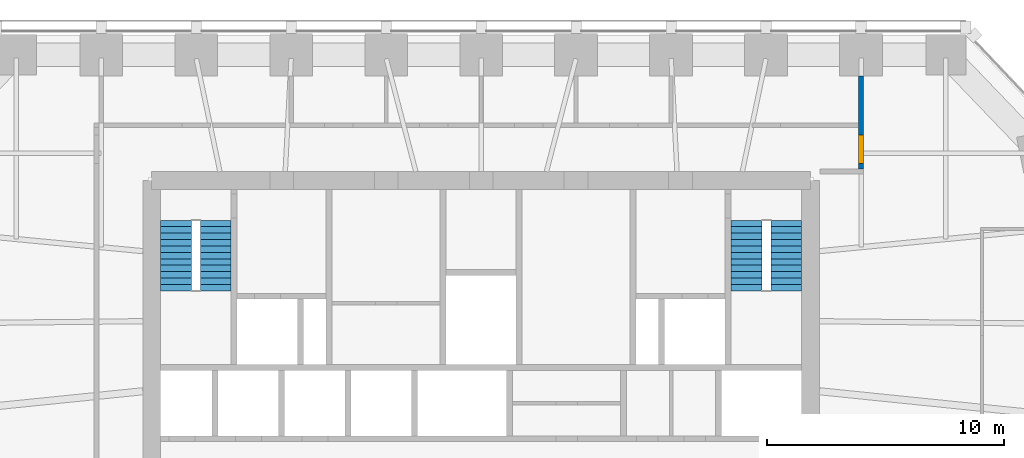
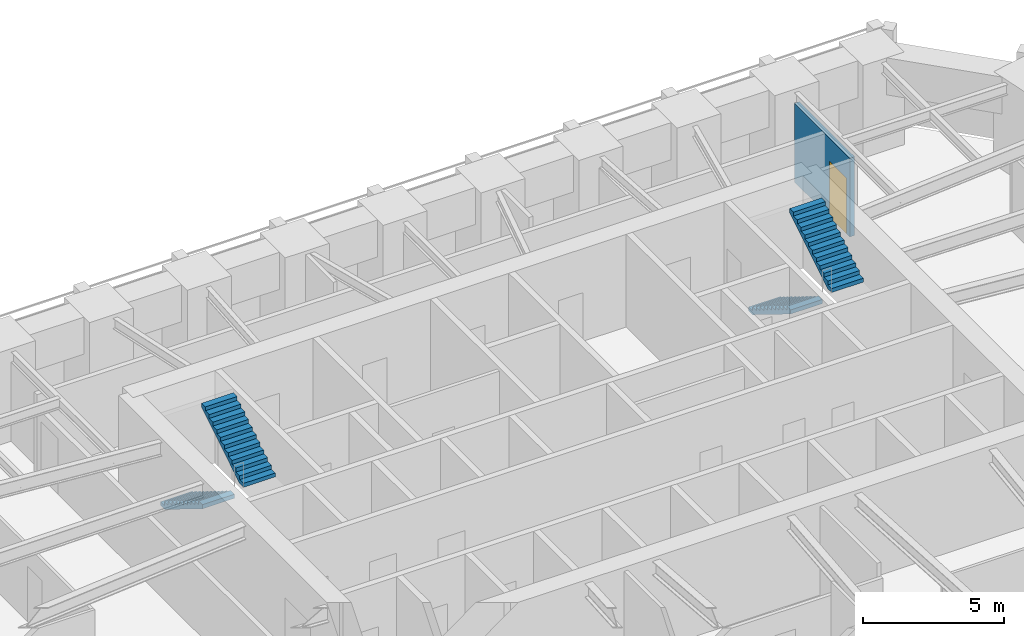
# One storey, part 8 of 10: 4 stair flights, 1 door, 1 wall, 1 opening, 2 elements without a shape of their own.
"""IFC4 building model written with IfcOpenShell, lengths in metres."""

from ifc_helpers import new_model, si_unit, direction, frame, frame_2d, origin, place, context, subcontext, project, spatial, polyline, rectangle, outline, extrude, material, layer, layer_set, type_object, element, fill, aggregate, save


model = new_model("IFC4")

# Units and contexts
model_context = context("Model", 3, precision=1e-05, world=origin(), true_north=direction((0.0, 1.0)))
body_context = subcontext(model_context, "Body", "Model", "MODEL_VIEW")
ifc_project = project(units=[si_unit("LENGTHUNIT", "METRE"), si_unit("AREAUNIT", "SQUARE_METRE"), si_unit("VOLUMEUNIT", "CUBIC_METRE"), si_unit("PLANEANGLEUNIT", "RADIAN"), si_unit("MASSUNIT", "GRAM", prefix="KILO")], contexts=[model_context])

# Site, building, storey
site_placement = place(None, origin())
site = spatial("IfcSite", under=ifc_project, at=site_placement, CompositionType="ELEMENT")
building_placement = place(site_placement, origin())
building = spatial("IfcBuilding", under=site, at=building_placement, Name="Isbrekke Arena Tower", CompositionType="ELEMENT")
storey_placement = place(building_placement, frame((0.0, 0.0, 143.0)))
storey = spatial("IfcBuildingStorey", under=building, at=storey_placement, Name="L32", CompositionType="ELEMENT", Elevation=143.0)

# Wall, opening, door
ifc_material_1 = material(Name="Gypsum board fire-cell wall on steel studs, two layers each side", Category="steel")
ifc_layer = layer(ifc_material_1, 0.199951171875)
ifc_layer_set = layer_set([ifc_layer], Name="IW3 FIRE-CELL WALL 200")
wall_type = type_object("IfcWallType", Name="IW3 FIRE-CELL WALL 200", PredefinedType="PARTITIONING", material=ifc_layer_set)
wall_placement = place(storey_placement, frame((16.0, 24.35009765625, 0.0), z_axis=(0.0, 0.0, 1.0), x_axis=(0.0, 1.0, 0.0)))
wall = element("IfcWall", 1, at=wall_placement, inside=storey, type_object=wall_type, Name="IW3 fire-cell wall 200 L32", PredefinedType="PARTITIONING", context=body_context, shape_type="SweptSolid", body=[
    extrude(rectangle(XDim=3.9248046875, YDim=0.199951171875, at=frame_2d((1.96240234375, 0.0))), origin(), (0.0, 0.0, 1.0), 3.39990234375),
])
opening_placement = place(wall_placement, frame((0.25, 0.0, 0.0)))
opening = element("IfcOpeningElement", 2, at=opening_placement, cuts=wall, Name="Opening D12", PredefinedType="OPENING", context=body_context, shape_type="SweptSolid", body=[
    extrude(rectangle(XDim=1.199951171875, YDim=2.39990234375, at=frame_2d((0.60009765625, 1.199951171875))), frame((0.0, 0.11474609375, 0.0), z_axis=(0.0, -1.0, 0.0), x_axis=(1.0, 0.0, 0.0)), (0.0, 0.0, 1.0), 0.229736328125),
])
ifc_material_2 = material(Name="Timber fire door with vision panel", Category="wood")
door_type = type_object("IfcDoorType", Name="D12 SUITE ENTRANCE DOOR 1200 x 2400", OperationType="SINGLE_SWING_LEFT", PredefinedType="DOOR", material=ifc_material_2)
door_placement = place(opening_placement, origin())
door = element("IfcDoor", 3, at=door_placement, inside=storey, type_object=door_type, Name="D12 suite entrance A door L32", OperationType="SINGLE_SWING_LEFT", OverallHeight=2.39990234375, OverallWidth=1.199951171875, PredefinedType="DOOR", context=body_context, shape_type="SweptSolid", body=[
    extrude(rectangle(XDim=1.199951171875, YDim=2.39990234375, at=frame_2d((0.60009765625, 1.199951171875))), frame((0.0, 0.099609375, 0.0), z_axis=(0.0, -1.0, 0.0), x_axis=(1.0, 0.0, 0.0)), (0.0, 0.0, 1.0), 0.199462890625),
])
fill(opening, door)

# Stair, stair flights
ifc_material_3 = material(Name="Concrete B45 (C45/55) precast", Category="concrete")
stair_type = type_object("IfcStairType", Name="ST40 STAIR 1300 WIDE, 24 RISERS 167", PredefinedType="HALF_TURN_STAIR", material=ifc_material_3)
stair_1_placement = place(storey_placement, origin())
stair_1 = element("IfcStair", 4, at=stair_1_placement, inside=storey, type_object=stair_type, Name="ST1 stair L32", PredefinedType="HALF_TURN_STAIR")
ifc_material_4 = material(Name="Concrete B45 (C45/55) precast", Category="concrete")
stair_flight_type = type_object("IfcStairFlightType", Name="SF 1300 FLIGHT", PredefinedType="STRAIGHT", material=ifc_material_4)
stair_flight_1_placement = place(storey_placement, frame((-12.85009765625, 22.199951171875, 0.0), z_axis=(0.0, 0.0, 1.0), x_axis=(0.0, -1.0, 0.0)))
stair_flight_1 = element("IfcStairFlight", 5, at=stair_flight_1_placement, type_object=stair_flight_type, Name="ST1 flight 1", NumberOfRisers=12, NumberOfTreads=11, PredefinedType="STRAIGHT", RiserHeight=0.166666667, TreadLength=0.27, context=body_context, shape_type="SweptSolid", body=[
    extrude(outline(polyline([(0.0, 0.0), (0.0, 0.166748046875), (0.27001953125, 0.166748046875), (0.27001953125, 0.333251953125), (0.5400390625, 0.333251953125), (0.5400390625, 0.5), (0.81005859375, 0.5), (0.81005859375, 0.666748046875), (1.080078125, 0.666748046875), (1.080078125, 0.833251953125), (1.35009765625, 0.833251953125), (1.35009765625, 1.0), (1.6201171875, 1.0), (1.6201171875, 1.166748046875), (1.889892578125, 1.166748046875), (1.889892578125, 1.333251953125), (2.159912109375, 1.333251953125), (2.159912109375, 1.5), (2.429931640625, 1.5), (2.429931640625, 1.666748046875), (2.699951171875, 1.666748046875), (2.699951171875, 1.833251953125), (2.969970703125, 1.833251953125), (2.969970703125, 2.0), (2.969970703125, 1.6572265625), (0.285400390625, 0.0), (0.0, 0.0)])), frame((0.0, 0.64990234375, 0.0), z_axis=(0.0, -1.0, 0.0), x_axis=(1.0, 0.0, 0.0)), (0.0, 0.0, 1.0), 1.300048828125),
])
stair_flight_2_placement = place(storey_placement, frame((-11.175048828125, 19.22998046875, 2.0), z_axis=(0.0, 0.0, 1.0), x_axis=(0.0, 1.0, 0.0)))
stair_flight_2 = element("IfcStairFlight", 6, at=stair_flight_2_placement, type_object=stair_flight_type, Name="ST1 flight 2", NumberOfRisers=12, NumberOfTreads=11, PredefinedType="STRAIGHT", RiserHeight=0.166666667, TreadLength=0.27, context=body_context, shape_type="SweptSolid", body=[
    extrude(outline(polyline([(0.0, 0.0), (0.0, 0.166748046875), (0.27001953125, 0.166748046875), (0.27001953125, 0.333251953125), (0.5400390625, 0.333251953125), (0.5400390625, 0.5), (0.81005859375, 0.5), (0.81005859375, 0.666748046875), (1.080078125, 0.666748046875), (1.080078125, 0.833251953125), (1.35009765625, 0.833251953125), (1.35009765625, 1.0), (1.6201171875, 1.0), (1.6201171875, 1.166748046875), (1.889892578125, 1.166748046875), (1.889892578125, 1.333251953125), (2.159912109375, 1.333251953125), (2.159912109375, 1.5), (2.429931640625, 1.5), (2.429931640625, 1.666748046875), (2.699951171875, 1.666748046875), (2.699951171875, 1.833251953125), (2.969970703125, 1.833251953125), (2.969970703125, 2.0), (2.969970703125, 1.6572265625), (0.285400390625, 0.0), (0.0, 0.0)])), frame((0.0, 0.64990234375, 0.0), z_axis=(0.0, -1.0, 0.0), x_axis=(1.0, 0.0, 0.0)), (0.0, 0.0, 1.0), 1.300048828125),
])
aggregate(stair_1, [stair_flight_1, stair_flight_2])

stair_2_placement = place(storey_placement, origin())
stair_2 = element("IfcStair", 7, at=stair_2_placement, inside=storey, type_object=stair_type, Name="ST2 stair L32", PredefinedType="HALF_TURN_STAIR")
stair_flight_3_placement = place(storey_placement, frame((11.175048828125, 22.199951171875, 0.0), z_axis=(0.0, 0.0, 1.0), x_axis=(0.0, -1.0, 0.0)))
stair_flight_3 = element("IfcStairFlight", 8, at=stair_flight_3_placement, type_object=stair_flight_type, Name="ST2 flight 1", NumberOfRisers=12, NumberOfTreads=11, PredefinedType="STRAIGHT", RiserHeight=0.166666667, TreadLength=0.27, context=body_context, shape_type="SweptSolid", body=[
    extrude(outline(polyline([(0.0, 0.0), (0.0, 0.166748046875), (0.27001953125, 0.166748046875), (0.27001953125, 0.333251953125), (0.5400390625, 0.333251953125), (0.5400390625, 0.5), (0.81005859375, 0.5), (0.81005859375, 0.666748046875), (1.080078125, 0.666748046875), (1.080078125, 0.833251953125), (1.35009765625, 0.833251953125), (1.35009765625, 1.0), (1.6201171875, 1.0), (1.6201171875, 1.166748046875), (1.889892578125, 1.166748046875), (1.889892578125, 1.333251953125), (2.159912109375, 1.333251953125), (2.159912109375, 1.5), (2.429931640625, 1.5), (2.429931640625, 1.666748046875), (2.699951171875, 1.666748046875), (2.699951171875, 1.833251953125), (2.969970703125, 1.833251953125), (2.969970703125, 2.0), (2.969970703125, 1.6572265625), (0.285400390625, 0.0), (0.0, 0.0)])), frame((0.0, 0.64990234375, 0.0), z_axis=(0.0, -1.0, 0.0), x_axis=(1.0, 0.0, 0.0)), (0.0, 0.0, 1.0), 1.300048828125),
])
stair_flight_4_placement = place(storey_placement, frame((12.85009765625, 19.22998046875, 2.0), z_axis=(0.0, 0.0, 1.0), x_axis=(0.0, 1.0, 0.0)))
stair_flight_4 = element("IfcStairFlight", 9, at=stair_flight_4_placement, type_object=stair_flight_type, Name="ST2 flight 2", NumberOfRisers=12, NumberOfTreads=11, PredefinedType="STRAIGHT", RiserHeight=0.166666667, TreadLength=0.27, context=body_context, shape_type="SweptSolid", body=[
    extrude(outline(polyline([(0.0, 0.0), (0.0, 0.166748046875), (0.27001953125, 0.166748046875), (0.27001953125, 0.333251953125), (0.5400390625, 0.333251953125), (0.5400390625, 0.5), (0.81005859375, 0.5), (0.81005859375, 0.666748046875), (1.080078125, 0.666748046875), (1.080078125, 0.833251953125), (1.35009765625, 0.833251953125), (1.35009765625, 1.0), (1.6201171875, 1.0), (1.6201171875, 1.166748046875), (1.889892578125, 1.166748046875), (1.889892578125, 1.333251953125), (2.159912109375, 1.333251953125), (2.159912109375, 1.5), (2.429931640625, 1.5), (2.429931640625, 1.666748046875), (2.699951171875, 1.666748046875), (2.699951171875, 1.833251953125), (2.969970703125, 1.833251953125), (2.969970703125, 2.0), (2.969970703125, 1.6572265625), (0.285400390625, 0.0), (0.0, 0.0)])), frame((0.0, 0.64990234375, 0.0), z_axis=(0.0, -1.0, 0.0), x_axis=(1.0, 0.0, 0.0)), (0.0, 0.0, 1.0), 1.300048828125),
])
aggregate(stair_2, [stair_flight_3, stair_flight_4])

save(model, "model.ifc")
